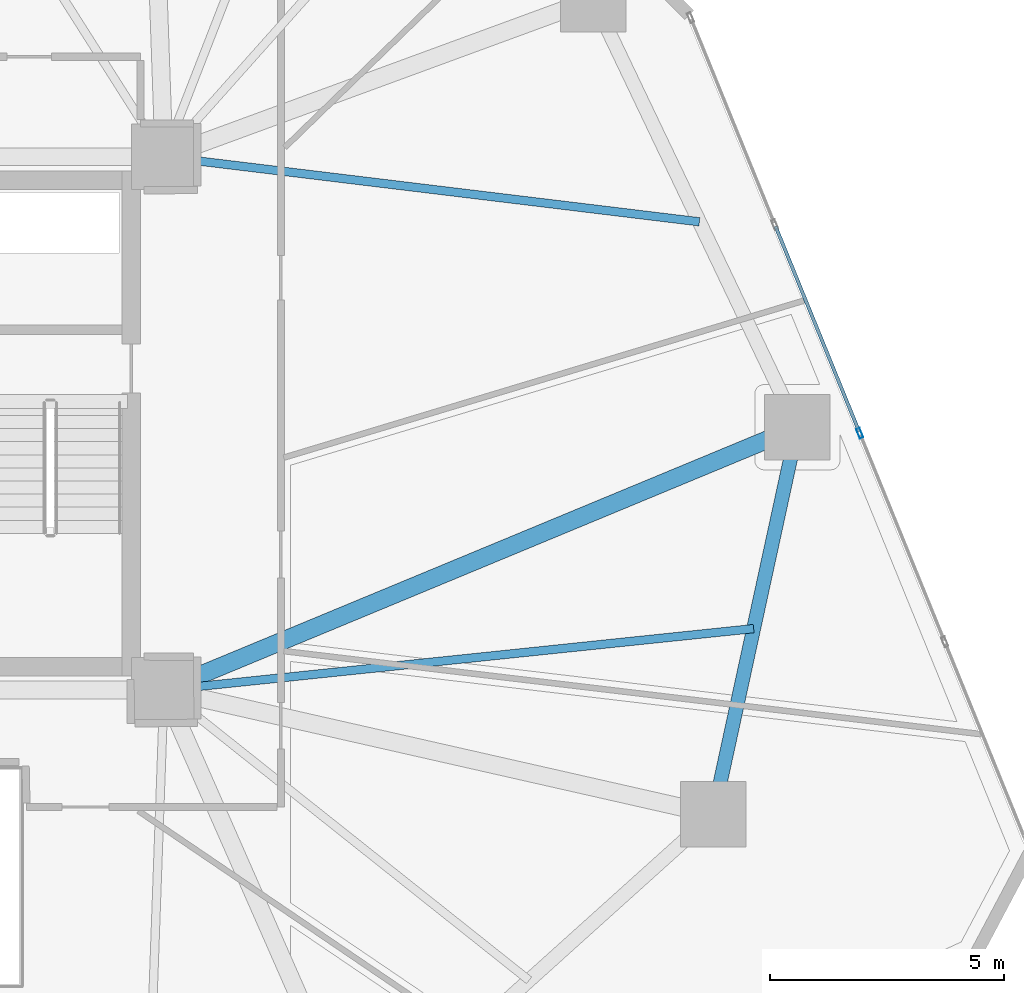
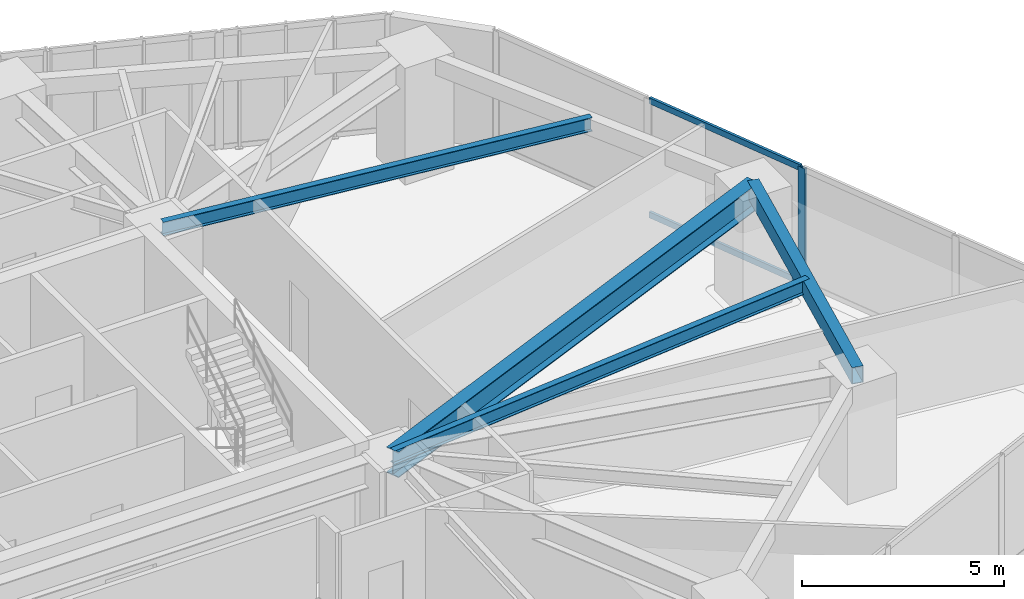
# One storey, part 12 of 24: 4 beams, 3 members, 1 element without a shape of its own.
"""IFC4 building model written with IfcOpenShell, lengths in metres."""

from ifc_helpers import new_model, si_unit, direction, frame, origin, origin_2d, place, context, subcontext, project, spatial, hollow_rectangle, i_section, extrude, source, transform, mapped, material, layer, layer_set, material_profile, profile_set, type_object, type_shapes, element, aggregate, save


model = new_model("IFC4")

# Units and contexts
model_context = context("Model", 3, precision=1e-05, world=origin(), true_north=direction((0.0, 1.0)))
body_context = subcontext(model_context, "Body", "Model", "MODEL_VIEW")
ifc_project = project(units=[si_unit("LENGTHUNIT", "METRE"), si_unit("AREAUNIT", "SQUARE_METRE"), si_unit("VOLUMEUNIT", "CUBIC_METRE"), si_unit("PLANEANGLEUNIT", "RADIAN"), si_unit("MASSUNIT", "GRAM", prefix="KILO")], contexts=[model_context])

# Site, building, storey
site_placement = place(None, origin())
site = spatial("IfcSite", under=ifc_project, at=site_placement, CompositionType="ELEMENT")
building_placement = place(site_placement, origin())
building = spatial("IfcBuilding", under=site, at=building_placement, Name="Talar Marvaseh", CompositionType="ELEMENT")
storey_placement = place(building_placement, frame((0.0, 0.0, 31.60009765625)))
storey = spatial("IfcBuildingStorey", under=building, at=storey_placement, Name="L07", CompositionType="ELEMENT", Elevation=31.60009765625)

# Beams
ifc_material_1 = material(Name="Steel S355", Category="steel")
ifc_material_profile_1 = material_profile(ifc_material_1, hollow_rectangle(XDim=0.300048828125, YDim=0.5, WallThickness=0.02001953125, at=origin_2d()), Name="RHS500x300x20")
ifc_profile_set_1 = profile_set([ifc_material_profile_1], Name="Steel S355")
beam_type_1 = type_object("IfcBeamType", Name="Zone 1 Perimeter Spandrel Beam RHS500x300x20", PredefinedType="SPANDREL", material=ifc_profile_set_1)
beam_1_placement = place(storey_placement, frame((46.841064453125, 31.118896484375, 3.27001953125), z_axis=(-0.212134113363, -0.977240562987, 0.0), x_axis=(0.977240562987, -0.212134113363, 0.0)))
element("IfcBeam", 1, at=beam_1_placement, inside=storey, type_object=beam_type_1, Name="L07 Zone 1 Perimeter Spandrel Beam RHS500x300x20", PredefinedType="SPANDREL", context=body_context, shape_type="SweptSolid", body=[
    extrude(hollow_rectangle(XDim=0.300048828125, YDim=0.5, WallThickness=0.02001953125, at=origin_2d()), origin(), (0.0, 0.0, 1.0), 8.4716796875),
])
ifc_material_profile_2 = material_profile(ifc_material_1, i_section(OverallWidth=0.381103515625, OverallDepth=0.77294921875, WebThickness=0.0166015625, FlangeThickness=0.027099609375, at=origin_2d()), Name="W760x257")
ifc_profile_set_2 = profile_set([ifc_material_profile_2], Name="Steel S355")
beam_type_2 = type_object("IfcBeamType", Name="Zone 1 Radial Floor Girder W760x257", PredefinedType="BEAM", material=ifc_profile_set_2)
beam_2_placement = place(storey_placement, frame((46.841064453125, 31.118896484375, 3.13330078125), z_axis=(-0.923637605375, -0.383266974753, 0.0), x_axis=(0.383266974753, -0.923637605375, 0.0)))
element("IfcBeam", 2, at=beam_2_placement, inside=storey, type_object=beam_type_2, Name="L07 Zone 1 Radial Floor Girder W760x257", PredefinedType="BEAM", context=body_context, shape_type="SweptSolid", body=[
    extrude(i_section(OverallWidth=0.381103515625, OverallDepth=0.77294921875, WebThickness=0.0166015625, FlangeThickness=0.027099609375, at=origin_2d()), origin(), (0.0, 0.0, 1.0), 14.66064453125),
])
ifc_material_profile_3 = material_profile(ifc_material_1, i_section(OverallWidth=0.179931640625, OverallDepth=0.4130859375, WebThickness=0.009765625, FlangeThickness=0.01611328125, at=origin_2d()), Name="W410x75")
ifc_profile_set_3 = profile_set([ifc_material_profile_3], Name="Steel S355")
beam_type_3 = type_object("IfcBeamType", Name="Zone 1 Secondary Floor Joist W410x75", PredefinedType="JOIST", material=ifc_profile_set_3)
beam_3_placement = place(storey_placement, frame((44.746337890625, 35.510986328125, 3.3134765625), z_axis=(-0.99271836771, 0.120458467577, 0.0), x_axis=(-0.120458467577, -0.99271836771, 0.0)))
element("IfcBeam", 3, at=beam_3_placement, inside=storey, type_object=beam_type_3, Name="L07 Zone 1 Secondary Floor Joist W410x75", PredefinedType="JOIST", context=body_context, shape_type="SweptSolid", body=[
    extrude(i_section(OverallWidth=0.179931640625, OverallDepth=0.4130859375, WebThickness=0.009765625, FlangeThickness=0.01611328125, at=origin_2d()), origin(), (0.0, 0.0, 1.0), 11.5302734375),
])
beam_4_placement = place(storey_placement, frame((45.906494140625, 26.81396484375, 3.3134765625), z_axis=(-0.994611955975, -0.103668013538, 0.0), x_axis=(0.103668013538, -0.994611955975, 0.0)))
element("IfcBeam", 4, at=beam_4_placement, inside=storey, type_object=beam_type_3, Name="L07 Zone 1 Secondary Floor Joist W410x75", PredefinedType="JOIST", context=body_context, shape_type="SweptSolid", body=[
    extrude(i_section(OverallWidth=0.179931640625, OverallDepth=0.4130859375, WebThickness=0.009765625, FlangeThickness=0.01611328125, at=origin_2d()), origin(), (0.0, 0.0, 1.0), 12.6748046875),
])

# Curtain wall, members
ifc_material_2 = material(Name="Architectural Aluminium", Category="aluminium")
ifc_layer = layer(ifc_material_2, 0.219970703125)
ifc_layer_set = layer_set([ifc_layer], Name="Architectural Aluminium")
curtain_wall_type = type_object("IfcCurtainWallType", Name="Unitised Low-E Museum Curtain Wall Z1", PredefinedType="NOTDEFINED", material=ifc_layer_set)
curtain_wall_placement = place(storey_placement, origin())
curtain_wall = element("IfcCurtainWall", 5, at=curtain_wall_placement, inside=storey, type_object=curtain_wall_type, Name="L07 Unitised Low-E Museum Curtain Wall Z1", PredefinedType="NOTDEFINED")
ifc_material_profile_4 = material_profile(ifc_material_2, hollow_rectangle(XDim=0.080078125, YDim=0.219970703125, WallThickness=0.0048828125, at=origin_2d()), Name="RHS220x80x5")
ifc_profile_set_4 = profile_set([ifc_material_profile_4], Name="Architectural Aluminium")
member_type_1 = type_object("IfcMemberType", Name="Unitised Curtain Wall Heavy Mullion RHS220x80x5", PredefinedType="MULLION", material=ifc_profile_set_4)
shared_shape_1 = source(origin(), body_context, "Body", "SweptSolid", [
    extrude(hollow_rectangle(XDim=0.080078125, YDim=0.219970703125, WallThickness=0.0048828125, at=origin_2d()), origin(), (0.0, 0.0, 1.0), 3.52001953125),
])
type_shapes(member_type_1, [shared_shape_1])
member_1_placement = place(storey_placement, frame((48.17529296875, 30.99072265625, 0.0), z_axis=(0.0, 0.0, 1.0), x_axis=(0.926174284661, 0.377095736428, 0.0)))
member_1 = element("IfcMember", 6, at=member_1_placement, type_object=member_type_1, Name="CW-Z1 mullion 3", PredefinedType="MULLION", context=body_context, shape_type="MappedRepresentation", body=[
    mapped(shared_shape_1, transform((0.0, 0.0, 0.0), x_axis=(1.0, 0.0, 0.0), y_axis=(0.0, 1.0, 0.0), z_axis=(0.0, 0.0, 1.0), scale=1.0)),
])
ifc_material_profile_5 = material_profile(ifc_material_2, hollow_rectangle(XDim=0.074951171875, YDim=0.179931640625, WallThickness=0.0048828125, at=origin_2d()), Name="RHS180x75x5")
ifc_profile_set_5 = profile_set([ifc_material_profile_5], Name="Architectural Aluminium")
member_type_2 = type_object("IfcMemberType", Name="Unitised Curtain Wall Transom RHS180x75x5", PredefinedType="USERDEFINED", material=ifc_profile_set_5)
shared_shape_2 = source(origin(), body_context, "Body", "SweptSolid", [
    extrude(hollow_rectangle(XDim=0.074951171875, YDim=0.179931640625, WallThickness=0.0048828125, at=origin_2d()), origin(), (0.0, 0.0, 1.0), 4.736572265625),
])
type_shapes(member_type_2, [shared_shape_2])
member_2_placement = place(storey_placement, frame((46.3740234375, 35.414794921875, 0.037353515625), z_axis=(0.37708894708, -0.926177048944, 0.0), x_axis=(0.926177048944, 0.37708894708, 0.0)))
member_2 = element("IfcMember", 7, at=member_2_placement, type_object=member_type_2, Name="CW-Z1 transom 2.1", ObjectType="TRANSOM", PredefinedType="USERDEFINED", context=body_context, shape_type="MappedRepresentation", body=[
    mapped(shared_shape_2, transform((0.0, 0.0, 0.0), x_axis=(1.0, 0.0, 0.0), y_axis=(0.0, 1.0, 0.0), z_axis=(0.0, 0.0, 1.0), scale=1.0)),
])
member_3_placement = place(storey_placement, frame((46.3740234375, 35.414794921875, 3.482421875), z_axis=(0.37708894708, -0.926177048944, 0.0), x_axis=(0.926177048944, 0.37708894708, 0.0)))
member_3 = element("IfcMember", 8, at=member_3_placement, type_object=member_type_2, Name="CW-Z1 transom 2.2", ObjectType="TRANSOM", PredefinedType="USERDEFINED", context=body_context, shape_type="MappedRepresentation", body=[
    mapped(shared_shape_2, transform((0.0, 0.0, 0.0), x_axis=(1.0, 0.0, 0.0), y_axis=(0.0, 1.0, 0.0), z_axis=(0.0, 0.0, 1.0), scale=1.0)),
])
aggregate(curtain_wall, [member_1, member_2, member_3])

save(model, "model.ifc")
